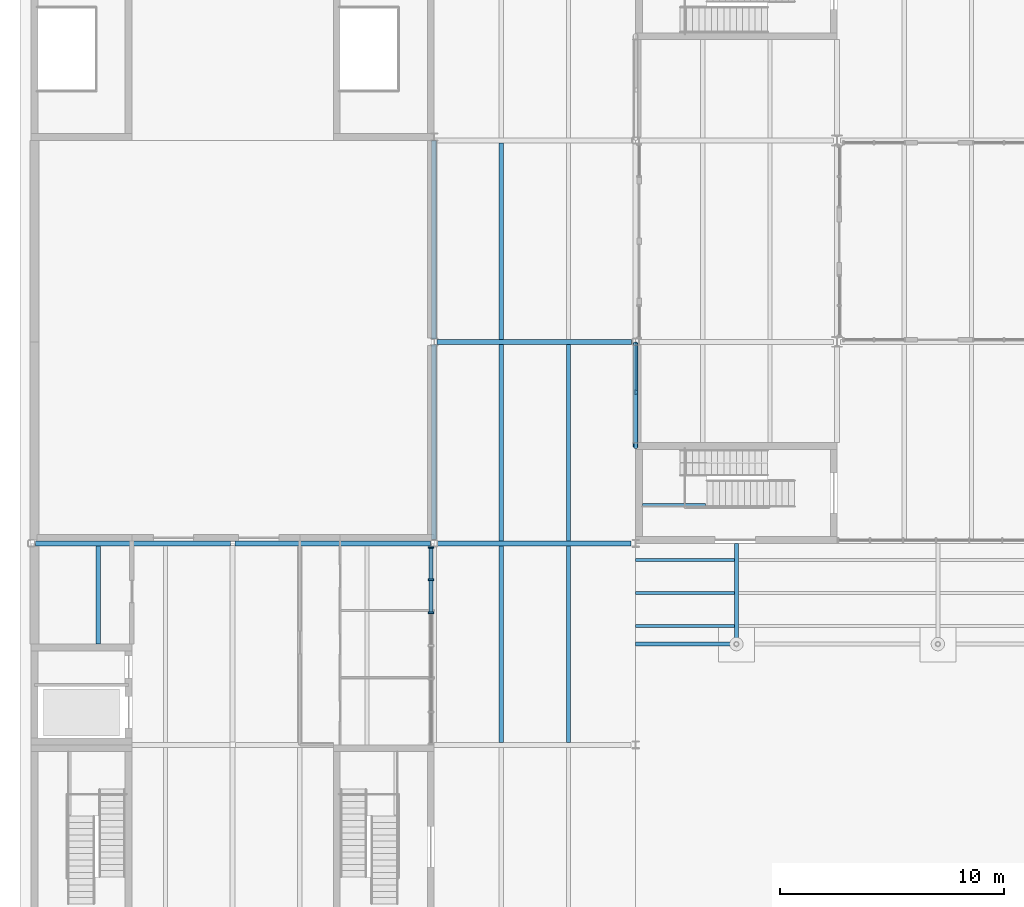
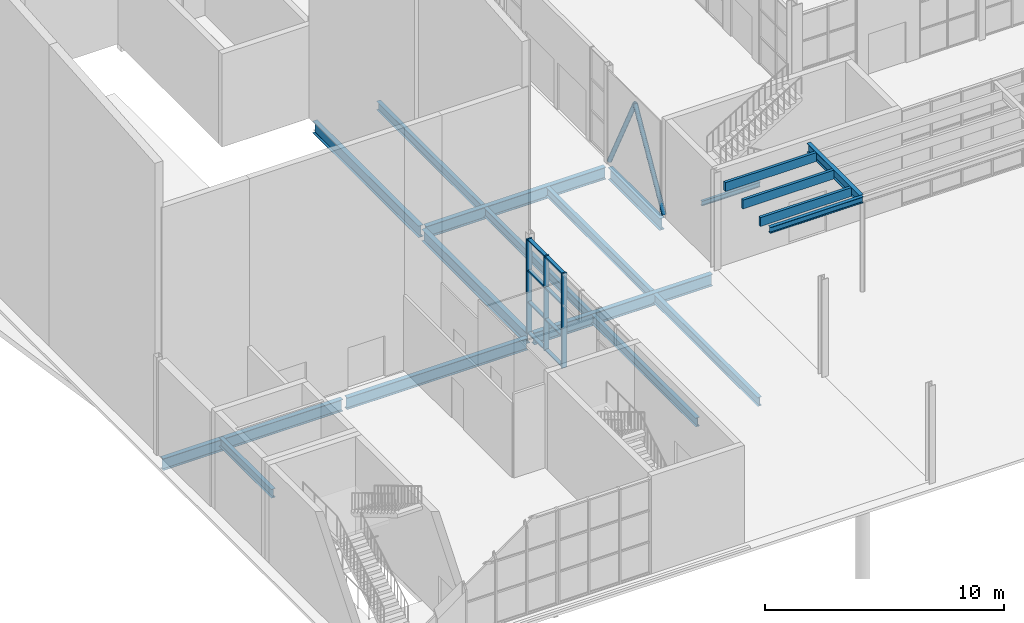
# One storey, part 11 of 63: 19 beams, 13 members, 1 element without a shape of its own.
"""IFC4 building model written with IfcOpenShell, lengths in metres."""

from ifc_helpers import new_model, si_unit, direction, frame, origin, origin_2d, place, context, subcontext, project, spatial, rectangle, hollow_circle, i_section, extrude, material, layer, layer_set, material_profile, profile_set, type_object, element, aggregate, save


model = new_model("IFC4")

# Units and contexts
model_context = context("Model", 3, precision=1e-05, world=origin(), true_north=direction((0.0, 1.0)))
body_context = subcontext(model_context, "Body", "Model", "MODEL_VIEW")
ifc_project = project(units=[si_unit("LENGTHUNIT", "METRE"), si_unit("AREAUNIT", "SQUARE_METRE"), si_unit("VOLUMEUNIT", "CUBIC_METRE"), si_unit("PLANEANGLEUNIT", "RADIAN"), si_unit("MASSUNIT", "GRAM", prefix="KILO")], contexts=[model_context])

# Site, building, storey
site_placement = place(None, origin())
site = spatial("IfcSite", under=ifc_project, at=site_placement, CompositionType="ELEMENT")
building_placement = place(site_placement, origin())
building = spatial("IfcBuilding", under=site, at=building_placement, Name="Halyard Row Museum", CompositionType="ELEMENT")
storey_placement = place(building_placement, origin())
storey = spatial("IfcBuildingStorey", under=building, at=storey_placement, Name="L00", CompositionType="ELEMENT", Elevation=0.0)

# Members
ifc_material_1 = material(Name="Steel Grade C350L0", Category="steel")
ifc_material_profile_1 = material_profile(ifc_material_1, hollow_circle(Radius=0.109619140625, WallThickness=0.00830078125, at=origin_2d()), Name="219.1x8.2CHS")
ifc_profile_set_1 = profile_set([ifc_material_profile_1], Name="Steel Grade C350L0")
member_type_1 = type_object("IfcMemberType", Name="Brace 219.1x8.2CHS", PredefinedType="BRACE", material=ifc_profile_set_1)
member_1_placement = place(storey_placement, frame((27.0, 22.330078125, 0.109619140625), z_axis=(0.0, 0.497543779208, 0.867438866878), x_axis=(-1.0, 0.0, 0.0)))
element("IfcMember", 1, at=member_1_placement, inside=storey, type_object=member_type_1, Name="Brace L00 X27 22.5-27 A", PredefinedType="BRACE", context=body_context, shape_type="SweptSolid", body=[
    extrude(hollow_circle(Radius=0.109619140625, WallThickness=0.00830078125, at=origin_2d()), origin(), (0.0, 0.0, 1.0), 4.86376953125),
])
member_2_placement = place(storey_placement, frame((27.0, 26.89990234375, 0.109619140625), z_axis=(0.0, -0.45363097155, 0.891189621601), x_axis=(1.0, 0.0, 0.0)))
element("IfcMember", 2, at=member_2_placement, inside=storey, type_object=member_type_1, Name="Brace L00 X27 22.5-27 B", PredefinedType="BRACE", context=body_context, shape_type="SweptSolid", body=[
    extrude(hollow_circle(Radius=0.109619140625, WallThickness=0.00830078125, at=origin_2d()), origin(), (0.0, 0.0, 1.0), 4.7392578125),
])

# Beams
ifc_material_2 = material(Name="Steel Grade 300", Category="steel")
ifc_material_profile_2 = material_profile(ifc_material_2, i_section(OverallWidth=0.166015625, OverallDepth=0.30712890625, WebThickness=0.006591796875, FlangeThickness=0.01171875, FilletRadius=0.011474609375, at=origin_2d()), Name="310UB46.2")
ifc_profile_set_2 = profile_set([ifc_material_profile_2], Name="Steel Grade 300")
beam_type_1 = type_object("IfcBeamType", Name="Canopy edge beam 310UB46.2", PredefinedType="BEAM", material=ifc_profile_set_2)
beam_1_placement = place(storey_placement, frame((27.0, 13.5, 4.6962890625), z_axis=(1.0, 0.0, 0.0), x_axis=(0.0, 1.0, 0.0)))
element("IfcBeam", 3, at=beam_1_placement, inside=storey, type_object=beam_type_1, Name="Canopy edge beam 1", PredefinedType="BEAM", context=body_context, shape_type="SweptSolid", body=[
    extrude(i_section(OverallWidth=0.166015625, OverallDepth=0.30712890625, WebThickness=0.006591796875, FlangeThickness=0.01171875, FilletRadius=0.011474609375, at=origin_2d()), origin(), (0.0, 0.0, 1.0), 4.5),
])
ifc_material_3 = material(Name="Steel Grade 300", Category="steel")
ifc_material_profile_3 = material_profile(ifc_material_3, i_section(OverallWidth=0.18994140625, OverallDepth=0.453857421875, WebThickness=0.008544921875, FlangeThickness=0.0126953125, FilletRadius=0.011474609375, at=origin_2d()), Name="460UB67.1")
ifc_profile_set_3 = profile_set([ifc_material_profile_3], Name="Steel Grade 300")
beam_type_2 = type_object("IfcBeamType", Name="Canopy primary beam 460UB67.1", PredefinedType="BEAM", material=ifc_profile_set_3)
beam_2_placement = place(storey_placement, frame((31.5, 13.5830078125, 4.623046875), z_axis=(0.0, 1.0, 0.0), x_axis=(-1.0, 0.0, 0.0)))
element("IfcBeam", 4, at=beam_2_placement, inside=storey, type_object=beam_type_2, Name="Canopy primary beam 31.5", PredefinedType="BEAM", context=body_context, shape_type="SweptSolid", body=[
    extrude(i_section(OverallWidth=0.18994140625, OverallDepth=0.453857421875, WebThickness=0.008544921875, FlangeThickness=0.0126953125, FilletRadius=0.011474609375, at=origin_2d()), origin(), (0.0, 0.0, 1.0), 4.4169921875),
])
ifc_material_4 = material(Name="Glulam GL12 radiata pine", Category="wood")
ifc_material_profile_4 = material_profile(ifc_material_4, rectangle(XDim=0.135009765625, YDim=0.449951171875, at=origin_2d()), Name="GL12 135x450")
ifc_profile_set_4 = profile_set([ifc_material_profile_4], Name="Glulam GL12 radiata pine")
beam_type_3 = type_object("IfcBeamType", Name="Canopy soffit joist GL12 135x450", PredefinedType="JOIST", material=ifc_profile_set_4)
for number, where, z_axis, x_axis, name in (
    (5, (27.0, 14.319091796875, 4.625), (1.0, 0.0, 0.0), (0.0, 1.0, 0.0), "Canopy soffit joist 1.1"),
    (6, (27.0, 15.79150390625, 4.625), (1.0, 0.0, 0.0), (0.0, 1.0, 0.0), "Canopy soffit joist 1.2"),
    (7, (27.0, 17.263916015625, 4.625), (1.0, 0.0, 0.0), (0.0, 1.0, 0.0), "Canopy soffit joist 1.3"),
):
    element("IfcBeam", number, at=place(storey_placement, frame(where, z_axis=z_axis, x_axis=x_axis)), inside=storey, type_object=beam_type_3, Name=name, PredefinedType="JOIST", context=body_context, shape_type="SweptSolid", body=[
        extrude(rectangle(XDim=0.135009765625, YDim=0.449951171875, at=origin_2d()), origin(), (0.0, 0.0, 1.0), 4.405029296875),
    ])

# Curtain wall, members
ifc_material_5 = material(Name="Acoustic laminated double glazed unit", Category="glass")
ifc_layer = layer(ifc_material_5, 0.239990234375)
ifc_layer_set = layer_set([ifc_layer], Name="Acoustic laminated double glazed unit")
curtain_wall_type = type_object("IfcCurtainWallType", Name="Curtain wall foyer 240 deep", PredefinedType="NOTDEFINED", material=ifc_layer_set)
curtain_wall_placement = place(storey_placement, origin())
curtain_wall = element("IfcCurtainWall", 8, at=curtain_wall_placement, inside=storey, type_object=curtain_wall_type, Name="Curtain wall CW019", PredefinedType="NOTDEFINED")
ifc_material_6 = material(Name="Powder-coated aluminium section", Category="aluminium")
ifc_material_profile_5 = material_profile(ifc_material_6, rectangle(XDim=0.239990234375, YDim=0.070068359375, at=origin_2d()), Name="240x70 mullion")
ifc_profile_set_5 = profile_set([ifc_material_profile_5], Name="Powder-coated aluminium section")
member_type_2 = type_object("IfcMemberType", Name="Curtain wall mullion CM4 70 x 240", PredefinedType="MULLION", material=ifc_profile_set_5)
member_3_placement = place(storey_placement, frame((17.860107421875, 14.89990234375, 0.0), z_axis=(0.0, 0.0, 1.0), x_axis=(-1.0, 0.0, 0.0)))
member_3 = element("IfcMember", 9, at=member_3_placement, type_object=member_type_2, Name="CW019 mullion 5", PredefinedType="MULLION", context=body_context, shape_type="SweptSolid", body=[
    extrude(rectangle(XDim=0.239990234375, YDim=0.070068359375, at=origin_2d()), origin(), (0.0, 0.0, 1.0), 4.8349609375),
])
member_4_placement = place(storey_placement, frame((17.860107421875, 16.375, 0.0), z_axis=(0.0, 0.0, 1.0), x_axis=(-1.0, 0.0, 0.0)))
member_4 = element("IfcMember", 10, at=member_4_placement, type_object=member_type_2, Name="CW019 mullion 6", PredefinedType="MULLION", context=body_context, shape_type="SweptSolid", body=[
    extrude(rectangle(XDim=0.239990234375, YDim=0.070068359375, at=origin_2d()), origin(), (0.0, 0.0, 1.0), 4.8349609375),
])
member_5_placement = place(storey_placement, frame((17.860107421875, 17.81494140625, 0.0), z_axis=(0.0, 0.0, 1.0), x_axis=(-1.0, 0.0, 0.0)))
member_5 = element("IfcMember", 11, at=member_5_placement, type_object=member_type_2, Name="CW019 mullion 7", PredefinedType="MULLION", context=body_context, shape_type="SweptSolid", body=[
    extrude(rectangle(XDim=0.239990234375, YDim=0.070068359375, at=origin_2d()), origin(), (0.0, 0.0, 1.0), 4.8349609375),
])
ifc_material_7 = material(Name="Powder-coated aluminium section", Category="aluminium")
ifc_material_profile_6 = material_profile(ifc_material_7, rectangle(XDim=0.169921875, YDim=0.070068359375, at=origin_2d()), Name="170x70 transom")
ifc_profile_set_6 = profile_set([ifc_material_profile_6], Name="Powder-coated aluminium section")
member_type_3 = type_object("IfcMemberType", Name="Curtain wall transom CT4 70 x 170", PredefinedType="USERDEFINED", material=ifc_profile_set_6)
member_6_placement = place(storey_placement, frame((17.860107421875, 14.93505859375, 0.034912109375), z_axis=(0.0, 1.0, 0.0), x_axis=(-1.0, 0.0, 0.0)))
member_6 = element("IfcMember", 12, at=member_6_placement, type_object=member_type_3, Name="CW019 transom 5.1", ObjectType="TRANSOM", PredefinedType="USERDEFINED", context=body_context, shape_type="SweptSolid", body=[
    extrude(rectangle(XDim=0.169921875, YDim=0.070068359375, at=origin_2d()), origin(), (0.0, 0.0, 1.0), 1.405029296875),
])
member_7_placement = place(storey_placement, frame((17.860107421875, 14.93505859375, 1.611572265625), z_axis=(0.0, 1.0, 0.0), x_axis=(-1.0, 0.0, 0.0)))
member_7 = element("IfcMember", 13, at=member_7_placement, type_object=member_type_3, Name="CW019 transom 5.2", ObjectType="TRANSOM", PredefinedType="USERDEFINED", context=body_context, shape_type="SweptSolid", body=[
    extrude(rectangle(XDim=0.169921875, YDim=0.070068359375, at=origin_2d()), origin(), (0.0, 0.0, 1.0), 1.405029296875),
])
member_8_placement = place(storey_placement, frame((17.860107421875, 14.93505859375, 3.223388671875), z_axis=(0.0, 1.0, 0.0), x_axis=(-1.0, 0.0, 0.0)))
member_8 = element("IfcMember", 14, at=member_8_placement, type_object=member_type_3, Name="CW019 transom 5.3", ObjectType="TRANSOM", PredefinedType="USERDEFINED", context=body_context, shape_type="SweptSolid", body=[
    extrude(rectangle(XDim=0.169921875, YDim=0.070068359375, at=origin_2d()), origin(), (0.0, 0.0, 1.0), 1.405029296875),
])
member_9_placement = place(storey_placement, frame((17.860107421875, 14.93505859375, 4.800048828125), z_axis=(0.0, 1.0, 0.0), x_axis=(-1.0, 0.0, 0.0)))
member_9 = element("IfcMember", 15, at=member_9_placement, type_object=member_type_3, Name="CW019 transom 5.4", ObjectType="TRANSOM", PredefinedType="USERDEFINED", context=body_context, shape_type="SweptSolid", body=[
    extrude(rectangle(XDim=0.169921875, YDim=0.070068359375, at=origin_2d()), origin(), (0.0, 0.0, 1.0), 1.405029296875),
])
member_10_placement = place(storey_placement, frame((17.860107421875, 16.409912109375, 0.034912109375), z_axis=(0.0, 1.0, 0.0), x_axis=(-1.0, 0.0, 0.0)))
member_10 = element("IfcMember", 16, at=member_10_placement, type_object=member_type_3, Name="CW019 transom 6.1", ObjectType="TRANSOM", PredefinedType="USERDEFINED", context=body_context, shape_type="SweptSolid", body=[
    extrude(rectangle(XDim=0.169921875, YDim=0.070068359375, at=origin_2d()), origin(), (0.0, 0.0, 1.0), 1.3701171875),
])
member_11_placement = place(storey_placement, frame((17.860107421875, 16.409912109375, 1.611572265625), z_axis=(0.0, 1.0, 0.0), x_axis=(-1.0, 0.0, 0.0)))
member_11 = element("IfcMember", 17, at=member_11_placement, type_object=member_type_3, Name="CW019 transom 6.2", ObjectType="TRANSOM", PredefinedType="USERDEFINED", context=body_context, shape_type="SweptSolid", body=[
    extrude(rectangle(XDim=0.169921875, YDim=0.070068359375, at=origin_2d()), origin(), (0.0, 0.0, 1.0), 1.3701171875),
])
member_12_placement = place(storey_placement, frame((17.860107421875, 16.409912109375, 3.223388671875), z_axis=(0.0, 1.0, 0.0), x_axis=(-1.0, 0.0, 0.0)))
member_12 = element("IfcMember", 18, at=member_12_placement, type_object=member_type_3, Name="CW019 transom 6.3", ObjectType="TRANSOM", PredefinedType="USERDEFINED", context=body_context, shape_type="SweptSolid", body=[
    extrude(rectangle(XDim=0.169921875, YDim=0.070068359375, at=origin_2d()), origin(), (0.0, 0.0, 1.0), 1.3701171875),
])
member_13_placement = place(storey_placement, frame((17.860107421875, 16.409912109375, 4.800048828125), z_axis=(0.0, 1.0, 0.0), x_axis=(-1.0, 0.0, 0.0)))
member_13 = element("IfcMember", 19, at=member_13_placement, type_object=member_type_3, Name="CW019 transom 6.4", ObjectType="TRANSOM", PredefinedType="USERDEFINED", context=body_context, shape_type="SweptSolid", body=[
    extrude(rectangle(XDim=0.169921875, YDim=0.070068359375, at=origin_2d()), origin(), (0.0, 0.0, 1.0), 1.3701171875),
])
aggregate(curtain_wall, [member_3, member_4, member_5, member_6, member_7, member_8, member_9, member_10, member_11, member_12, member_13])

# Beams
ifc_material_8 = material(Name="Steel Grade 300", Category="steel")
ifc_material_profile_7 = material_profile(ifc_material_8, i_section(OverallWidth=0.22802734375, OverallDepth=0.60205078125, WebThickness=0.010498046875, FlangeThickness=0.014892578125, FilletRadius=0.013916015625, at=origin_2d()), Name="610UB101")
ifc_profile_set_7 = profile_set([ifc_material_profile_7], Name="Steel Grade 300")
beam_type_4 = type_object("IfcBeamType", Name="Edge beam 610UB101 (lowered 150)", PredefinedType="BEAM", material=ifc_profile_set_7)
beam_3_placement = place(storey_placement, frame((0.199951171875, 18.0, -0.615966796875), z_axis=(1.0, 0.0, 0.0), x_axis=(0.0, 1.0, 0.0)))
element("IfcBeam", 20, at=beam_3_placement, inside=storey, type_object=beam_type_4, Name="Beam L00-008", PredefinedType="BEAM", context=body_context, shape_type="SweptSolid", body=[
    extrude(i_section(OverallWidth=0.22802734375, OverallDepth=0.60205078125, WebThickness=0.010498046875, FlangeThickness=0.014892578125, FilletRadius=0.013916015625, at=origin_2d()), origin(), (0.0, 0.0, 1.0), 8.698486328125),
])
beam_4_placement = place(storey_placement, frame((9.1015625, 18.0, -0.615966796875), z_axis=(1.0, 0.0, 0.0), x_axis=(0.0, 1.0, 0.0)))
element("IfcBeam", 21, at=beam_4_placement, inside=storey, type_object=beam_type_4, Name="Beam L00-009", PredefinedType="BEAM", context=body_context, shape_type="SweptSolid", body=[
    extrude(i_section(OverallWidth=0.22802734375, OverallDepth=0.60205078125, WebThickness=0.010498046875, FlangeThickness=0.014892578125, FilletRadius=0.013916015625, at=origin_2d()), origin(), (0.0, 0.0, 1.0), 8.742919921875),
])
ifc_material_9 = material(Name="Steel Grade 300", Category="steel")
ifc_material_profile_8 = material_profile(ifc_material_9, i_section(OverallWidth=0.22802734375, OverallDepth=0.60205078125, WebThickness=0.010498046875, FlangeThickness=0.014892578125, FilletRadius=0.013916015625, at=origin_2d()), Name="610UB101")
ifc_profile_set_8 = profile_set([ifc_material_profile_8], Name="Steel Grade 300")
beam_type_5 = type_object("IfcBeamType", Name="Edge beam 610UB101 (lowered 35)", PredefinedType="BEAM", material=ifc_profile_set_8)
beam_5_placement = place(storey_placement, frame((18.0, 18.16357421875, -0.5009765625), z_axis=(0.0, 1.0, 0.0), x_axis=(-1.0, 0.0, 0.0)))
element("IfcBeam", 22, at=beam_5_placement, inside=storey, type_object=beam_type_5, Name="Beam L00-042", PredefinedType="BEAM", context=body_context, shape_type="SweptSolid", body=[
    extrude(i_section(OverallWidth=0.22802734375, OverallDepth=0.60205078125, WebThickness=0.010498046875, FlangeThickness=0.014892578125, FilletRadius=0.013916015625, at=origin_2d()), origin(), (0.0, 0.0, 1.0), 8.70947265625),
])
beam_6_placement = place(storey_placement, frame((18.0, 27.126953125, -0.5009765625), z_axis=(0.0, 1.0, 0.0), x_axis=(-1.0, 0.0, 0.0)))
element("IfcBeam", 23, at=beam_6_placement, inside=storey, type_object=beam_type_5, Name="Beam L00-043", PredefinedType="BEAM", context=body_context, shape_type="SweptSolid", body=[
    extrude(i_section(OverallWidth=0.22802734375, OverallDepth=0.60205078125, WebThickness=0.010498046875, FlangeThickness=0.014892578125, FilletRadius=0.013916015625, at=origin_2d()), origin(), (0.0, 0.0, 1.0), 8.873046875),
])
ifc_material_10 = material(Name="Steel Grade 300", Category="steel")
ifc_material_profile_9 = material_profile(ifc_material_10, i_section(OverallWidth=0.22900390625, OverallDepth=0.611572265625, WebThickness=0.011962890625, FlangeThickness=0.01953125, FilletRadius=0.013916015625, at=origin_2d()), Name="610UB125")
ifc_profile_set_9 = profile_set([ifc_material_profile_9], Name="Steel Grade 300")
beam_type_6 = type_object("IfcBeamType", Name="Girder beam 610UB125", PredefinedType="BEAM", material=ifc_profile_set_9)
beam_7_placement = place(storey_placement, frame((18.155517578125, 18.0, -0.470703125), z_axis=(1.0, 0.0, 0.0), x_axis=(0.0, 1.0, 0.0)))
element("IfcBeam", 24, at=beam_7_placement, inside=storey, type_object=beam_type_6, Name="Beam L00-010", PredefinedType="BEAM", context=body_context, shape_type="SweptSolid", body=[
    extrude(i_section(OverallWidth=0.22900390625, OverallDepth=0.611572265625, WebThickness=0.011962890625, FlangeThickness=0.01953125, FilletRadius=0.013916015625, at=origin_2d()), origin(), (0.0, 0.0, 1.0), 8.64453125),
])
beam_8_placement = place(storey_placement, frame((18.126953125, 27.0, -0.470703125), z_axis=(1.0, 0.0, 0.0), x_axis=(0.0, 1.0, 0.0)))
element("IfcBeam", 25, at=beam_8_placement, inside=storey, type_object=beam_type_6, Name="Beam L00-014", PredefinedType="BEAM", context=body_context, shape_type="SweptSolid", body=[
    extrude(i_section(OverallWidth=0.22900390625, OverallDepth=0.611572265625, WebThickness=0.011962890625, FlangeThickness=0.01953125, FilletRadius=0.013916015625, at=origin_2d()), origin(), (0.0, 0.0, 1.0), 8.697998046875),
])
beam_9_placement = place(storey_placement, frame((27.0, 22.5, -0.470703125), z_axis=(0.0, 1.0, 0.0), x_axis=(-1.0, 0.0, 0.0)))
element("IfcBeam", 26, at=beam_9_placement, inside=storey, type_object=beam_type_6, Name="Beam L00-044", PredefinedType="BEAM", context=body_context, shape_type="SweptSolid", body=[
    extrude(i_section(OverallWidth=0.22900390625, OverallDepth=0.611572265625, WebThickness=0.011962890625, FlangeThickness=0.01953125, FilletRadius=0.013916015625, at=origin_2d()), origin(), (0.0, 0.0, 1.0), 4.33056640625),
])
ifc_material_11 = material(Name="Steel Grade 300", Category="steel")
ifc_material_profile_10 = material_profile(ifc_material_11, i_section(OverallWidth=0.1240234375, OverallDepth=0.248046875, WebThickness=0.0048828125, FlangeThickness=0.008056640625, FilletRadius=0.011962890625, at=origin_2d()), Name="250UB25.7")
ifc_profile_set_10 = profile_set([ifc_material_profile_10], Name="Steel Grade 300")
beam_type_7 = type_object("IfcBeamType", Name="Landing trimmer 250UB25.7", PredefinedType="BEAM", material=ifc_profile_set_10)
beam_10_placement = place(storey_placement, frame((27.297119140625, 19.721923828125, 2.176025390625), z_axis=(1.0, 0.0, 0.0), x_axis=(0.0, 1.0, 0.0)))
element("IfcBeam", 27, at=beam_10_placement, inside=storey, type_object=beam_type_7, Name="Landing ledger K1D L00 1", PredefinedType="BEAM", context=body_context, shape_type="SweptSolid", body=[
    extrude(i_section(OverallWidth=0.1240234375, OverallDepth=0.248046875, WebThickness=0.0048828125, FlangeThickness=0.008056640625, FilletRadius=0.011962890625, at=origin_2d()), origin(), (0.0, 0.0, 1.0), 2.832763671875),
])
ifc_material_12 = material(Name="Steel Grade 300", Category="steel")
ifc_material_profile_11 = material_profile(ifc_material_12, i_section(OverallWidth=0.18994140625, OverallDepth=0.453857421875, WebThickness=0.008544921875, FlangeThickness=0.0126953125, FilletRadius=0.011474609375, at=origin_2d()), Name="460UB67.1")
ifc_profile_set_11 = profile_set([ifc_material_profile_11], Name="Steel Grade 300")
beam_type_8 = type_object("IfcBeamType", Name="Secondary beam 460UB67.1", PredefinedType="BEAM", material=ifc_profile_set_11)
for number, where, z_axis, x_axis, name in (
    (28, (21.0, 9.114501953125, -0.391845703125), (0.0, 1.0, 0.0), (-1.0, 0.0, 0.0), "Beam L00-094"),
    (29, (24.0, 9.114501953125, -0.391845703125), (0.0, 1.0, 0.0), (-1.0, 0.0, 0.0), "Beam L00-095"),
):
    element("IfcBeam", number, at=place(storey_placement, frame(where, z_axis=z_axis, x_axis=x_axis)), inside=storey, type_object=beam_type_8, Name=name, PredefinedType="BEAM", context=body_context, shape_type="SweptSolid", body=[
        extrude(i_section(OverallWidth=0.18994140625, OverallDepth=0.453857421875, WebThickness=0.008544921875, FlangeThickness=0.0126953125, FilletRadius=0.011474609375, at=origin_2d()), origin(), (0.0, 0.0, 1.0), 8.77099609375),
    ])
beam_11_placement = place(storey_placement, frame((3.0, 13.5, -0.391845703125), z_axis=(0.0, 1.0, 0.0), x_axis=(-1.0, 0.0, 0.0)))
element("IfcBeam", 30, at=beam_11_placement, inside=storey, type_object=beam_type_8, Name="Beam L00-102", PredefinedType="BEAM", context=body_context, shape_type="SweptSolid", body=[
    extrude(i_section(OverallWidth=0.18994140625, OverallDepth=0.453857421875, WebThickness=0.008544921875, FlangeThickness=0.0126953125, FilletRadius=0.011474609375, at=origin_2d()), origin(), (0.0, 0.0, 1.0), 4.385986328125),
])
for number, where, z_axis, x_axis, name in (
    (31, (21.0, 18.114501953125, -0.391845703125), (0.0, 1.0, 0.0), (-1.0, 0.0, 0.0), "Beam L00-103"),
    (32, (24.0, 18.114501953125, -0.391845703125), (0.0, 1.0, 0.0), (-1.0, 0.0, 0.0), "Beam L00-104"),
    (33, (21.0, 27.114501953125, -0.391845703125), (0.0, 1.0, 0.0), (-1.0, 0.0, 0.0), "Beam L00-123"),
):
    element("IfcBeam", number, at=place(storey_placement, frame(where, z_axis=z_axis, x_axis=x_axis)), inside=storey, type_object=beam_type_8, Name=name, PredefinedType="BEAM", context=body_context, shape_type="SweptSolid", body=[
        extrude(i_section(OverallWidth=0.18994140625, OverallDepth=0.453857421875, WebThickness=0.008544921875, FlangeThickness=0.0126953125, FilletRadius=0.011474609375, at=origin_2d()), origin(), (0.0, 0.0, 1.0), 8.77099609375),
    ])

save(model, "model.ifc")
